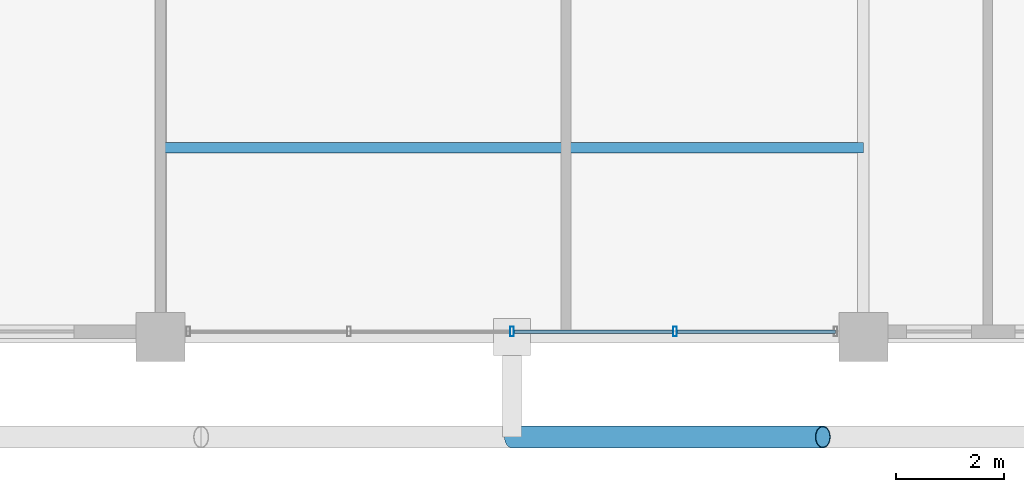
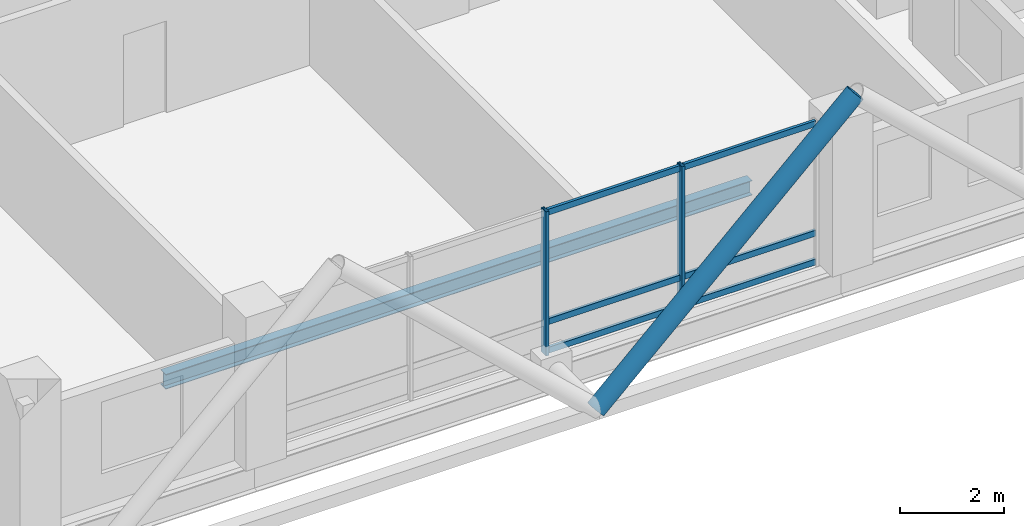
# One storey, part 5 of 24: 9 members, 1 beam, 1 element without a shape of its own.
"""IFC4 building model written with IfcOpenShell, lengths in metres."""

from ifc_helpers import new_model, si_unit, direction, frame, origin, origin_2d, place, context, subcontext, project, spatial, hollow_rectangle, hollow_circle, i_section, extrude, material, layer, layer_set, material_profile, profile_set, type_object, element, aggregate, save


model = new_model("IFC4")

# Units and contexts
model_context = context("Model", 3, precision=1e-05, world=origin(), true_north=direction((0.0, 1.0)))
body_context = subcontext(model_context, "Body", "Model", "MODEL_VIEW")
ifc_project = project(units=[si_unit("LENGTHUNIT", "METRE"), si_unit("AREAUNIT", "SQUARE_METRE"), si_unit("VOLUMEUNIT", "CUBIC_METRE"), si_unit("PLANEANGLEUNIT", "RADIAN"), si_unit("MASSUNIT", "GRAM", prefix="KILO")], contexts=[model_context])

# Site, building, storey
site_placement = place(None, origin())
site = spatial("IfcSite", under=ifc_project, at=site_placement, CompositionType="ELEMENT")
building_placement = place(site_placement, origin())
building = spatial("IfcBuilding", under=site, at=building_placement, Name="Barlavira Tower and Art Museum", CompositionType="ELEMENT")
storey_placement = place(building_placement, frame((0.0, 0.0, 272.699951171875)))
storey = spatial("IfcBuildingStorey", under=building, at=storey_placement, Name="L71", CompositionType="ELEMENT", Elevation=272.699951171875)

# Curtain wall, members
ifc_material_1 = material(Name="Low-iron coastal laminated glass", Category="glass")
ifc_layer = layer(ifc_material_1, 0.2099609375, Name="Low-iron coastal laminated glass")
ifc_layer_set = layer_set([ifc_layer], Name="Low-iron coastal laminated glass")
curtain_wall_type = type_object("IfcCurtainWallType", Name="Pale-Metal Unitised Curtain Wall Zone 4", PredefinedType="NOTDEFINED", material=ifc_layer_set)
curtain_wall_placement = place(storey_placement, origin())
curtain_wall = element("IfcCurtainWall", 1, at=curtain_wall_placement, inside=storey, type_object=curtain_wall_type, Name="L71 Curtain Wall CW4-L71-S-B2", PredefinedType="NOTDEFINED")
ifc_material_2 = material(Name="Pale anodised aluminium", Category="aluminium")
ifc_material_profile_1 = material_profile(ifc_material_2, hollow_rectangle(XDim=0.06494140625, YDim=0.179931640625, WallThickness=0.00390625, at=origin_2d()), Name="ALU-MULL 65x180x4")
ifc_profile_set_1 = profile_set([ifc_material_profile_1], Name="Pale anodised aluminium")
member_type_1 = type_object("IfcMemberType", Name="Curtain Wall Pale-Metal Mullion 65x180", PredefinedType="MULLION", material=ifc_profile_set_1)
member_1_placement = place(storey_placement, frame((0.0, -19.89990234375, 0.0), z_axis=(0.0, 0.0, 1.0), x_axis=(1.0, 0.0, 0.0)))
member_1 = element("IfcMember", 2, at=member_1_placement, type_object=member_type_1, Name="CW4-L71-S-B2 Mullion 2", PredefinedType="MULLION", context=body_context, shape_type="SweptSolid", body=[
    extrude(hollow_rectangle(XDim=0.06494140625, YDim=0.179931640625, WallThickness=0.00390625, at=origin_2d()), origin(), (0.0, 0.0, 1.0), 3.380126953125),
])
member_2_placement = place(storey_placement, frame((3.014892578125, -19.89990234375, 0.0), z_axis=(0.0, 0.0, 1.0), x_axis=(1.0, 0.0, 0.0)))
member_2 = element("IfcMember", 3, at=member_2_placement, type_object=member_type_1, Name="CW4-L71-S-B2 Mullion 3", PredefinedType="MULLION", context=body_context, shape_type="SweptSolid", body=[
    extrude(hollow_rectangle(XDim=0.06494140625, YDim=0.179931640625, WallThickness=0.00390625, at=origin_2d()), origin(), (0.0, 0.0, 1.0), 3.380126953125),
])
ifc_material_profile_2 = material_profile(ifc_material_2, hollow_rectangle(XDim=0.06494140625, YDim=0.139892578125, WallThickness=0.00390625, at=origin_2d()), Name="ALU-TRAN 65x140x4")
ifc_profile_set_2 = profile_set([ifc_material_profile_2], Name="Pale anodised aluminium")
member_type_2 = type_object("IfcMemberType", Name="Curtain Wall Pale-Metal Transom 65x140", PredefinedType="USERDEFINED", material=ifc_profile_set_2)
member_3_placement = place(storey_placement, frame((0.044921875, -19.89990234375, 0.070068359375), z_axis=(1.0, 0.0, 0.0), x_axis=(0.0, 1.0, 0.0)))
member_3 = element("IfcMember", 4, at=member_3_placement, type_object=member_type_2, Name="CW4-L71-S-B2 Transom 2.1", ObjectType="TRANSOM", PredefinedType="USERDEFINED", context=body_context, shape_type="SweptSolid", body=[
    extrude(hollow_rectangle(XDim=0.06494140625, YDim=0.139892578125, WallThickness=0.00390625, at=origin_2d()), origin(), (0.0, 0.0, 1.0), 2.925048828125),
])
member_4_placement = place(storey_placement, frame((0.044921875, -19.89990234375, 0.744140625), z_axis=(1.0, 0.0, 0.0), x_axis=(0.0, 1.0, 0.0)))
member_4 = element("IfcMember", 5, at=member_4_placement, type_object=member_type_2, Name="CW4-L71-S-B2 Transom 2.2", ObjectType="TRANSOM", PredefinedType="USERDEFINED", context=body_context, shape_type="SweptSolid", body=[
    extrude(hollow_rectangle(XDim=0.06494140625, YDim=0.139892578125, WallThickness=0.00390625, at=origin_2d()), origin(), (0.0, 0.0, 1.0), 2.925048828125),
])
member_5_placement = place(storey_placement, frame((0.044921875, -19.89990234375, 3.31005859375), z_axis=(1.0, 0.0, 0.0), x_axis=(0.0, 1.0, 0.0)))
member_5 = element("IfcMember", 6, at=member_5_placement, type_object=member_type_2, Name="CW4-L71-S-B2 Transom 2.3", ObjectType="TRANSOM", PredefinedType="USERDEFINED", context=body_context, shape_type="SweptSolid", body=[
    extrude(hollow_rectangle(XDim=0.06494140625, YDim=0.139892578125, WallThickness=0.00390625, at=origin_2d()), origin(), (0.0, 0.0, 1.0), 2.925048828125),
])
member_6_placement = place(storey_placement, frame((3.06005859375, -19.89990234375, 0.070068359375), z_axis=(1.0, 0.0, 0.0), x_axis=(0.0, 1.0, 0.0)))
member_6 = element("IfcMember", 7, at=member_6_placement, type_object=member_type_2, Name="CW4-L71-S-B2 Transom 3.1", ObjectType="TRANSOM", PredefinedType="USERDEFINED", context=body_context, shape_type="SweptSolid", body=[
    extrude(hollow_rectangle(XDim=0.06494140625, YDim=0.139892578125, WallThickness=0.00390625, at=origin_2d()), origin(), (0.0, 0.0, 1.0), 2.925048828125),
])
member_7_placement = place(storey_placement, frame((3.06005859375, -19.89990234375, 0.744140625), z_axis=(1.0, 0.0, 0.0), x_axis=(0.0, 1.0, 0.0)))
member_7 = element("IfcMember", 8, at=member_7_placement, type_object=member_type_2, Name="CW4-L71-S-B2 Transom 3.2", ObjectType="TRANSOM", PredefinedType="USERDEFINED", context=body_context, shape_type="SweptSolid", body=[
    extrude(hollow_rectangle(XDim=0.06494140625, YDim=0.139892578125, WallThickness=0.00390625, at=origin_2d()), origin(), (0.0, 0.0, 1.0), 2.925048828125),
])
member_8_placement = place(storey_placement, frame((3.06005859375, -19.89990234375, 3.31005859375), z_axis=(1.0, 0.0, 0.0), x_axis=(0.0, 1.0, 0.0)))
member_8 = element("IfcMember", 9, at=member_8_placement, type_object=member_type_2, Name="CW4-L71-S-B2 Transom 3.3", ObjectType="TRANSOM", PredefinedType="USERDEFINED", context=body_context, shape_type="SweptSolid", body=[
    extrude(hollow_rectangle(XDim=0.06494140625, YDim=0.139892578125, WallThickness=0.00390625, at=origin_2d()), origin(), (0.0, 0.0, 1.0), 2.925048828125),
])
aggregate(curtain_wall, [member_1, member_2, member_3, member_4, member_5, member_6, member_7, member_8])

# Member
ifc_material_3 = material(Name="Steel S355", Category="steel")
ifc_material_profile_3 = material_profile(ifc_material_3, hollow_circle(Radius=0.203125, WallThickness=0.01611328125, at=origin_2d()), Name="CHS 406.4x16.0")
ifc_profile_set_3 = profile_set([ifc_material_profile_3], Name="Steel S355")
member_type_3 = type_object("IfcMemberType", Name="Pale-Metal Exoskeleton Diagrid Tube CHS 406x16 Steel S355", PredefinedType="BRACE", material=ifc_profile_set_3)
member_9_placement = place(storey_placement, frame((0.0, -21.85009765625, -0.119873046875), z_axis=(0.728950095515, 0.0, 0.684566839869), x_axis=(0.0, 1.0, 0.0)))
element("IfcMember", 10, at=member_9_placement, inside=storey, type_object=member_type_3, Name="L71 Exoskeleton Diagrid Tube S", PredefinedType="BRACE", context=body_context, shape_type="SweptSolid", body=[
    extrude(hollow_circle(Radius=0.203125, WallThickness=0.01611328125, at=origin_2d()), origin(), (0.0, 0.0, 1.0), 7.887939453125),
])

# Beam
ifc_material_profile_4 = material_profile(ifc_material_3, i_section(OverallWidth=0.202880859375, OverallDepth=0.346923828125, WebThickness=0.0078125, FlangeThickness=0.013427734375, at=origin_2d()), Name="W360x64.0")
ifc_profile_set_4 = profile_set([ifc_material_profile_4], Name="Steel S355")
beam_type = type_object("IfcBeamType", Name="Zone 4 Composite Floor Joist W360x64 Steel S355", PredefinedType="JOIST", material=ifc_profile_set_4)
beam_placement = place(storey_placement, frame((-6.5, -16.5, -0.3935546875), z_axis=(1.0, 0.0, 0.0), x_axis=(0.0, 1.0, 0.0)))
element("IfcBeam", 11, at=beam_placement, inside=storey, type_object=beam_type, Name="L71 Joist C1", PredefinedType="JOIST", context=body_context, shape_type="SweptSolid", body=[
    extrude(i_section(OverallWidth=0.202880859375, OverallDepth=0.346923828125, WebThickness=0.0078125, FlangeThickness=0.013427734375, at=origin_2d()), origin(), (0.0, 0.0, 1.0), 13.0),
])

save(model, "model.ifc")
